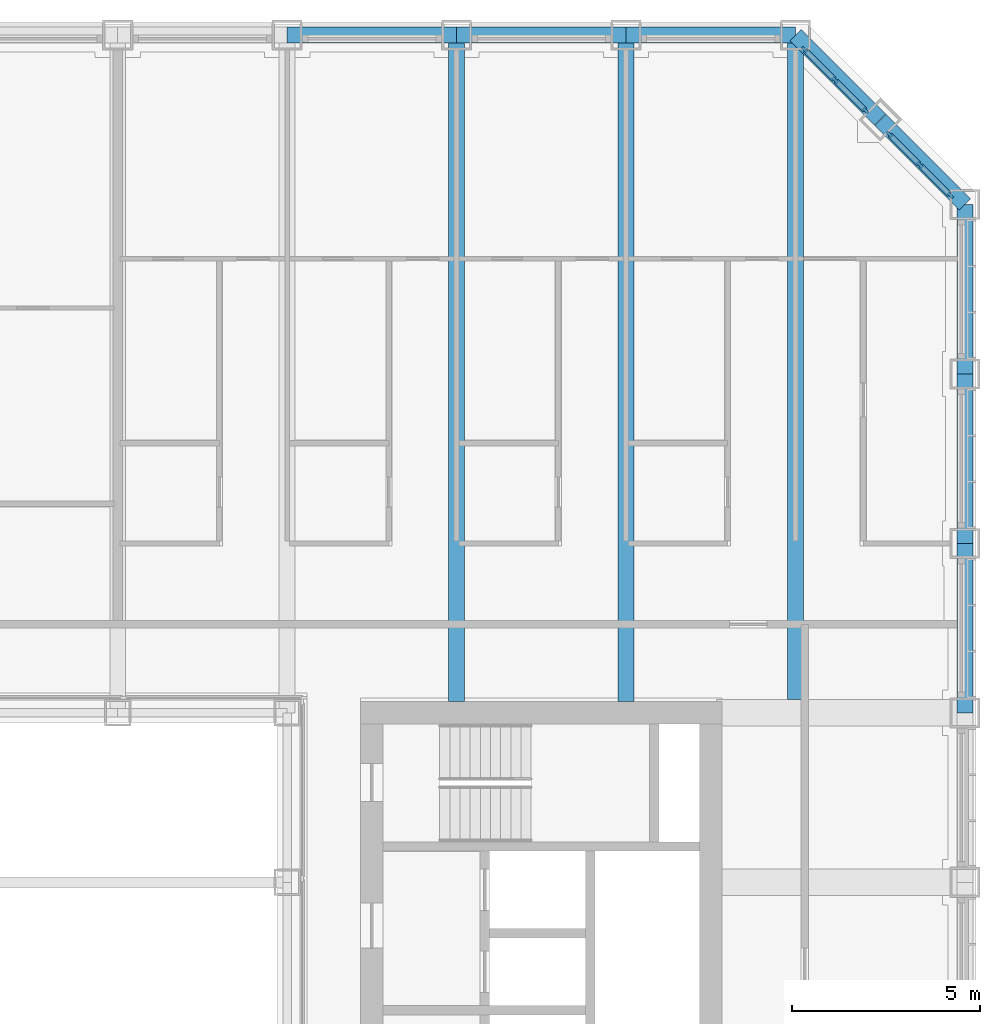
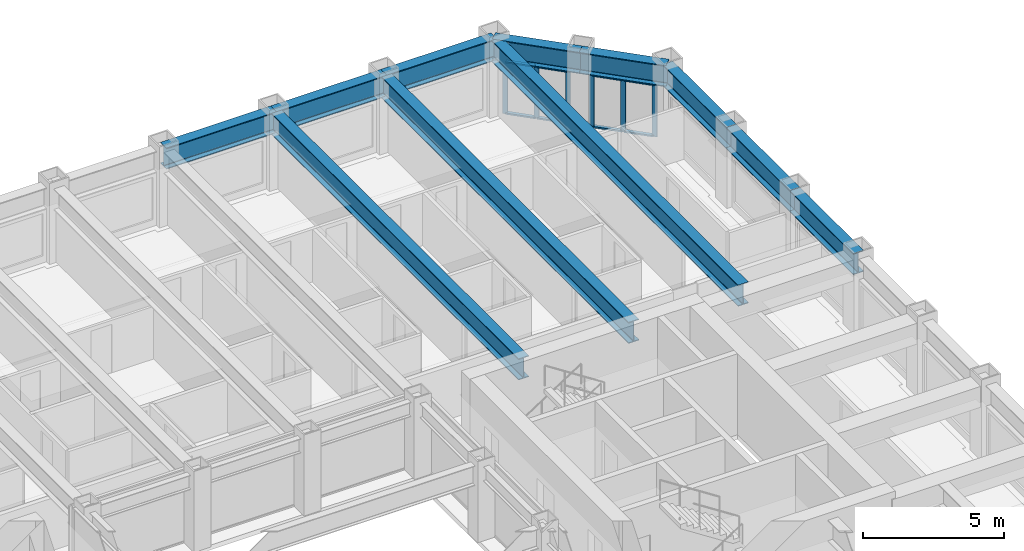
# One storey, part 7 of 21: 14 members, 11 beams, 2 elements without a shape of their own.
"""IFC4 building model written with IfcOpenShell, lengths in metres."""

from ifc_helpers import new_model, si_unit, direction, frame, origin, origin_2d, place, context, subcontext, project, spatial, rectangle, i_section, extrude, material, material_profile, profile_set, type_object, element, aggregate, save


model = new_model("IFC4")

# Units and contexts
model_context = context("Model", 3, precision=1e-05, world=origin(), true_north=direction((0.0, 1.0)))
body_context = subcontext(model_context, "Body", "Model", "MODEL_VIEW")
ifc_project = project(units=[si_unit("LENGTHUNIT", "METRE"), si_unit("AREAUNIT", "SQUARE_METRE"), si_unit("VOLUMEUNIT", "CUBIC_METRE"), si_unit("PLANEANGLEUNIT", "RADIAN"), si_unit("MASSUNIT", "GRAM", prefix="KILO")], contexts=[model_context])

# Site, building, storey
site_placement = place(None, origin())
site = spatial("IfcSite", under=ifc_project, at=site_placement, CompositionType="ELEMENT")
building_placement = place(site_placement, origin())
building = spatial("IfcBuilding", under=site, at=building_placement, Name="Msasa Ring Tower", CompositionType="ELEMENT")
storey_placement = place(building_placement, frame((0.0, 0.0, 103.5)))
storey = spatial("IfcBuildingStorey", under=building, at=storey_placement, Name="L27", CompositionType="ELEMENT", Elevation=103.5)

# Curtain wall, members
ifc_material_1 = material(Name="Aluminium curtain wall with clear glass", Category="aluminium")
curtain_wall_type = type_object("IfcCurtainWallType", Name="CW-C CHAMFER CORNER CURTAIN WALL", PredefinedType="NOTDEFINED", material=ifc_material_1)
curtain_wall_1_placement = place(storey_placement, origin())
curtain_wall_1 = element("IfcCurtainWall", 1, at=curtain_wall_1_placement, inside=storey, type_object=curtain_wall_type, Name="Chamfer corner curtain wall NE L27", PredefinedType="NOTDEFINED")
ifc_material_2 = material(Name="Aluminium mullion", Category="aluminium")
ifc_material_profile_1 = material_profile(ifc_material_2, rectangle(XDim=0.06494140625, YDim=0.179931640625, at=origin_2d()), Name="AL 65x180")
ifc_profile_set_1 = profile_set([ifc_material_profile_1], Name="Aluminium mullion")
member_type_1 = type_object("IfcMemberType", Name="CW-C MULLION 65x180", PredefinedType="MULLION", material=ifc_profile_set_1)
member_1_placement = place(storey_placement, frame((22.119873046875, 22.73876953125, 0.0), z_axis=(0.0, 0.0, 1.0), x_axis=(-0.707106781187, -0.707106781187, 0.0)))
member_1 = element("IfcMember", 2, at=member_1_placement, type_object=member_type_1, Name="CW-C mullion 1", PredefinedType="MULLION", context=body_context, shape_type="SweptSolid", body=[
    extrude(rectangle(XDim=0.06494140625, YDim=0.179931640625, at=origin_2d()), origin(), (0.0, 0.0, 1.0), 2.279052734375),
])
member_2_placement = place(storey_placement, frame((21.30419921875, 23.55419921875, 0.0), z_axis=(0.0, 0.0, 1.0), x_axis=(-0.707106781187, -0.707106781187, 0.0)))
member_2 = element("IfcMember", 3, at=member_2_placement, type_object=member_type_1, Name="CW-C mullion 2", PredefinedType="MULLION", context=body_context, shape_type="SweptSolid", body=[
    extrude(rectangle(XDim=0.06494140625, YDim=0.179931640625, at=origin_2d()), origin(), (0.0, 0.0, 1.0), 2.279052734375),
])
member_3_placement = place(storey_placement, frame((20.48876953125, 24.369873046875, 0.0), z_axis=(0.0, 0.0, 1.0), x_axis=(-0.707106781187, -0.707106781187, 0.0)))
member_3 = element("IfcMember", 4, at=member_3_placement, type_object=member_type_1, Name="CW-C mullion 3", PredefinedType="MULLION", context=body_context, shape_type="SweptSolid", body=[
    extrude(rectangle(XDim=0.06494140625, YDim=0.179931640625, at=origin_2d()), origin(), (0.0, 0.0, 1.0), 2.279052734375),
])

curtain_wall_2_placement = place(storey_placement, origin())
curtain_wall_2 = element("IfcCurtainWall", 5, at=curtain_wall_2_placement, inside=storey, type_object=curtain_wall_type, Name="Chamfer corner curtain wall NE L27", PredefinedType="NOTDEFINED")
member_4_placement = place(storey_placement, frame((24.369873046875, 20.48876953125, 0.0), z_axis=(0.0, 0.0, 1.0), x_axis=(-0.707106781187, -0.707106781187, 0.0)))
member_4 = element("IfcMember", 6, at=member_4_placement, type_object=member_type_1, Name="CW-C mullion 1", PredefinedType="MULLION", context=body_context, shape_type="SweptSolid", body=[
    extrude(rectangle(XDim=0.06494140625, YDim=0.179931640625, at=origin_2d()), origin(), (0.0, 0.0, 1.0), 2.279052734375),
])
member_5_placement = place(storey_placement, frame((23.55419921875, 21.30419921875, 0.0), z_axis=(0.0, 0.0, 1.0), x_axis=(-0.707106781187, -0.707106781187, 0.0)))
member_5 = element("IfcMember", 7, at=member_5_placement, type_object=member_type_1, Name="CW-C mullion 2", PredefinedType="MULLION", context=body_context, shape_type="SweptSolid", body=[
    extrude(rectangle(XDim=0.06494140625, YDim=0.179931640625, at=origin_2d()), origin(), (0.0, 0.0, 1.0), 2.279052734375),
])
member_6_placement = place(storey_placement, frame((22.73876953125, 22.119873046875, 0.0), z_axis=(0.0, 0.0, 1.0), x_axis=(-0.707106781187, -0.707106781187, 0.0)))
member_6 = element("IfcMember", 8, at=member_6_placement, type_object=member_type_1, Name="CW-C mullion 3", PredefinedType="MULLION", context=body_context, shape_type="SweptSolid", body=[
    extrude(rectangle(XDim=0.06494140625, YDim=0.179931640625, at=origin_2d()), origin(), (0.0, 0.0, 1.0), 2.279052734375),
])

# Member
ifc_material_3 = material(Name="Aluminium transom", Category="aluminium")
ifc_material_profile_2 = material_profile(ifc_material_3, rectangle(XDim=0.139892578125, YDim=0.06494140625, at=origin_2d()), Name="AL 65x140")
ifc_profile_set_2 = profile_set([ifc_material_profile_2], Name="Aluminium transom")
member_type_2 = type_object("IfcMemberType", Name="CW-C TRANSOM 65x140", PredefinedType="USERDEFINED", material=ifc_profile_set_2)
member_7_placement = place(storey_placement, frame((22.096923828125, 22.76171875, 0.032470703125), z_axis=(-0.707106781187, 0.707106781187, 0.0), x_axis=(-0.707106781187, -0.707106781187, 0.0)))
member_7 = element("IfcMember", 9, at=member_7_placement, type_object=member_type_2, Name="CW-C transom 1.1", ObjectType="TRANSOM", PredefinedType="USERDEFINED", context=body_context, shape_type="SweptSolid", body=[
    extrude(rectangle(XDim=0.139892578125, YDim=0.06494140625, at=origin_2d()), origin(), (0.0, 0.0, 1.0), 1.08837890625),
])

member_8_placement = place(storey_placement, frame((22.096923828125, 22.76171875, 2.24658203125), z_axis=(-0.707106781187, 0.707106781187, 0.0), x_axis=(-0.707106781187, -0.707106781187, 0.0)))
member_8 = element("IfcMember", 10, at=member_8_placement, type_object=member_type_2, Name="CW-C transom 1.2", ObjectType="TRANSOM", PredefinedType="USERDEFINED", context=body_context, shape_type="SweptSolid", body=[
    extrude(rectangle(XDim=0.139892578125, YDim=0.06494140625, at=origin_2d()), origin(), (0.0, 0.0, 1.0), 1.08837890625),
])

member_9_placement = place(storey_placement, frame((21.28125, 23.577392578125, 0.032470703125), z_axis=(-0.707106781187, 0.707106781187, 0.0), x_axis=(-0.707106781187, -0.707106781187, 0.0)))
member_9 = element("IfcMember", 11, at=member_9_placement, type_object=member_type_2, Name="CW-C transom 2.1", ObjectType="TRANSOM", PredefinedType="USERDEFINED", context=body_context, shape_type="SweptSolid", body=[
    extrude(rectangle(XDim=0.139892578125, YDim=0.06494140625, at=origin_2d()), origin(), (0.0, 0.0, 1.0), 1.08837890625),
])

member_10_placement = place(storey_placement, frame((21.28125, 23.577392578125, 2.24658203125), z_axis=(-0.707106781187, 0.707106781187, 0.0), x_axis=(-0.707106781187, -0.707106781187, 0.0)))
member_10 = element("IfcMember", 12, at=member_10_placement, type_object=member_type_2, Name="CW-C transom 2.2", ObjectType="TRANSOM", PredefinedType="USERDEFINED", context=body_context, shape_type="SweptSolid", body=[
    extrude(rectangle(XDim=0.139892578125, YDim=0.06494140625, at=origin_2d()), origin(), (0.0, 0.0, 1.0), 1.08837890625),
])

aggregate(curtain_wall_1, [member_1, member_2, member_3, member_7, member_8, member_9, member_10])

member_11_placement = place(storey_placement, frame((24.346923828125, 20.51171875, 0.032470703125), z_axis=(-0.707106781187, 0.707106781187, 0.0), x_axis=(-0.707106781187, -0.707106781187, 0.0)))
member_11 = element("IfcMember", 13, at=member_11_placement, type_object=member_type_2, Name="CW-C transom 1.1", ObjectType="TRANSOM", PredefinedType="USERDEFINED", context=body_context, shape_type="SweptSolid", body=[
    extrude(rectangle(XDim=0.139892578125, YDim=0.06494140625, at=origin_2d()), origin(), (0.0, 0.0, 1.0), 1.08837890625),
])

member_12_placement = place(storey_placement, frame((24.346923828125, 20.51171875, 2.24658203125), z_axis=(-0.707106781187, 0.707106781187, 0.0), x_axis=(-0.707106781187, -0.707106781187, 0.0)))
member_12 = element("IfcMember", 14, at=member_12_placement, type_object=member_type_2, Name="CW-C transom 1.2", ObjectType="TRANSOM", PredefinedType="USERDEFINED", context=body_context, shape_type="SweptSolid", body=[
    extrude(rectangle(XDim=0.139892578125, YDim=0.06494140625, at=origin_2d()), origin(), (0.0, 0.0, 1.0), 1.08837890625),
])

member_13_placement = place(storey_placement, frame((23.53125, 21.327392578125, 0.032470703125), z_axis=(-0.707106781187, 0.707106781187, 0.0), x_axis=(-0.707106781187, -0.707106781187, 0.0)))
member_13 = element("IfcMember", 15, at=member_13_placement, type_object=member_type_2, Name="CW-C transom 2.1", ObjectType="TRANSOM", PredefinedType="USERDEFINED", context=body_context, shape_type="SweptSolid", body=[
    extrude(rectangle(XDim=0.139892578125, YDim=0.06494140625, at=origin_2d()), origin(), (0.0, 0.0, 1.0), 1.08837890625),
])

member_14_placement = place(storey_placement, frame((23.53125, 21.327392578125, 2.24658203125), z_axis=(-0.707106781187, 0.707106781187, 0.0), x_axis=(-0.707106781187, -0.707106781187, 0.0)))
member_14 = element("IfcMember", 16, at=member_14_placement, type_object=member_type_2, Name="CW-C transom 2.2", ObjectType="TRANSOM", PredefinedType="USERDEFINED", context=body_context, shape_type="SweptSolid", body=[
    extrude(rectangle(XDim=0.139892578125, YDim=0.06494140625, at=origin_2d()), origin(), (0.0, 0.0, 1.0), 1.08837890625),
])

aggregate(curtain_wall_2, [member_4, member_5, member_6, member_11, member_12, member_13, member_14])

# Beams
ifc_material_4 = material(Name="Steel S355", Category="steel")
ifc_material_profile_3 = material_profile(ifc_material_4, i_section(OverallWidth=0.42041015625, OverallDepth=0.9208984375, WebThickness=0.021484375, FlangeThickness=0.03662109375, FilletRadius=0.024169921875, at=origin_2d()), Name="UB 914x419x388")
ifc_profile_set_3 = profile_set([ifc_material_profile_3], Name="Steel S355")
beam_type_1 = type_object("IfcBeamType", Name="FB2 UB 914x419x388", PredefinedType="BEAM", material=ifc_profile_set_3)
for number, where, z_axis, x_axis, name in (
    (17, (11.25, 24.75, 2.739501953125), (0.0, -1.0, 0.0), (1.0, 0.0, 0.0), "Floor beam N+11.25 under L28"),
    (18, (15.75, 24.75, 2.739501953125), (0.0, -1.0, 0.0), (1.0, 0.0, 0.0), "Floor beam N+15.75 under L28"),
):
    element("IfcBeam", number, at=place(storey_placement, frame(where, z_axis=z_axis, x_axis=x_axis)), inside=storey, type_object=beam_type_1, Name=name, PredefinedType="BEAM", context=body_context, shape_type="SweptSolid", body=[
        extrude(i_section(OverallWidth=0.42041015625, OverallDepth=0.9208984375, WebThickness=0.021484375, FlangeThickness=0.03662109375, FilletRadius=0.024169921875, at=origin_2d()), origin(), (0.0, 0.0, 1.0), 17.699951171875),
    ])
beam_placement = place(storey_placement, frame((20.25, 24.75, 2.739501953125), z_axis=(0.0, -1.0, 0.0), x_axis=(1.0, 0.0, 0.0)))
element("IfcBeam", 19, at=beam_placement, inside=storey, type_object=beam_type_1, Name="Floor beam N+20.25 under L28", PredefinedType="BEAM", context=body_context, shape_type="SweptSolid", body=[
    extrude(i_section(OverallWidth=0.42041015625, OverallDepth=0.9208984375, WebThickness=0.021484375, FlangeThickness=0.03662109375, FilletRadius=0.024169921875, at=origin_2d()), origin(), (0.0, 0.0, 1.0), 17.64990234375),
])
ifc_material_5 = material(Name="Steel S355", Category="steel")
ifc_material_profile_4 = material_profile(ifc_material_5, i_section(OverallWidth=0.42041015625, OverallDepth=0.9208984375, WebThickness=0.021484375, FlangeThickness=0.03662109375, FilletRadius=0.024169921875, at=origin_2d()), Name="UB 914x419x388")
ifc_profile_set_4 = profile_set([ifc_material_profile_4], Name="Steel S355")
beam_type_2 = type_object("IfcBeamType", Name="SB1 UB 914x419x388", PredefinedType="SPANDREL", material=ifc_profile_set_4)
for number, where, z_axis, x_axis, name in (
    (20, (24.75, 6.75, 2.739501953125), (0.0, 1.0, 0.0), (-1.0, 0.0, 0.0), "Spandrel E+6.75 to E+11.25 under L28"),
    (21, (24.75, 11.25, 2.739501953125), (0.0, 1.0, 0.0), (-1.0, 0.0, 0.0), "Spandrel E+11.25 to E+15.75 under L28"),
    (22, (24.75, 15.75, 2.739501953125), (0.0, 1.0, 0.0), (-1.0, 0.0, 0.0), "Spandrel E+15.75 to E+20.25 under L28"),
):
    element("IfcBeam", number, at=place(storey_placement, frame(where, z_axis=z_axis, x_axis=x_axis)), inside=storey, type_object=beam_type_2, Name=name, PredefinedType="SPANDREL", context=body_context, shape_type="SweptSolid", body=[
        extrude(i_section(OverallWidth=0.42041015625, OverallDepth=0.9208984375, WebThickness=0.021484375, FlangeThickness=0.03662109375, FilletRadius=0.024169921875, at=origin_2d()), origin(), (0.0, 0.0, 1.0), 4.5),
    ])
for number, where, z_axis, x_axis, name in (
    (23, (24.75, 20.25, 2.739501953125), (-0.707106781187, 0.707106781187, 0.0), (-0.707106781187, -0.707106781187, 0.0), "Spandrel E+20.25 to NE under L28"),
    (24, (22.5, 22.5, 2.739501953125), (-0.707106781187, 0.707106781187, 0.0), (-0.707106781187, -0.707106781187, 0.0), "Spandrel NE to N+20.25 under L28"),
):
    element("IfcBeam", number, at=place(storey_placement, frame(where, z_axis=z_axis, x_axis=x_axis)), inside=storey, type_object=beam_type_2, Name=name, PredefinedType="SPANDREL", context=body_context, shape_type="SweptSolid", body=[
        extrude(i_section(OverallWidth=0.42041015625, OverallDepth=0.9208984375, WebThickness=0.021484375, FlangeThickness=0.03662109375, FilletRadius=0.024169921875, at=origin_2d()), origin(), (0.0, 0.0, 1.0), 3.181884765625),
    ])
for number, where, z_axis, x_axis, name in (
    (25, (20.25, 24.75, 2.739501953125), (-1.0, 0.0, 0.0), (0.0, -1.0, 0.0), "Spandrel N+20.25 to N+15.75 under L28"),
    (26, (15.75, 24.75, 2.739501953125), (-1.0, 0.0, 0.0), (0.0, -1.0, 0.0), "Spandrel N+15.75 to N+11.25 under L28"),
    (27, (11.25, 24.75, 2.739501953125), (-1.0, 0.0, 0.0), (0.0, -1.0, 0.0), "Spandrel N+11.25 to N+6.75 under L28"),
):
    element("IfcBeam", number, at=place(storey_placement, frame(where, z_axis=z_axis, x_axis=x_axis)), inside=storey, type_object=beam_type_2, Name=name, PredefinedType="SPANDREL", context=body_context, shape_type="SweptSolid", body=[
        extrude(i_section(OverallWidth=0.42041015625, OverallDepth=0.9208984375, WebThickness=0.021484375, FlangeThickness=0.03662109375, FilletRadius=0.024169921875, at=origin_2d()), origin(), (0.0, 0.0, 1.0), 4.5),
    ])

save(model, "model.ifc")
